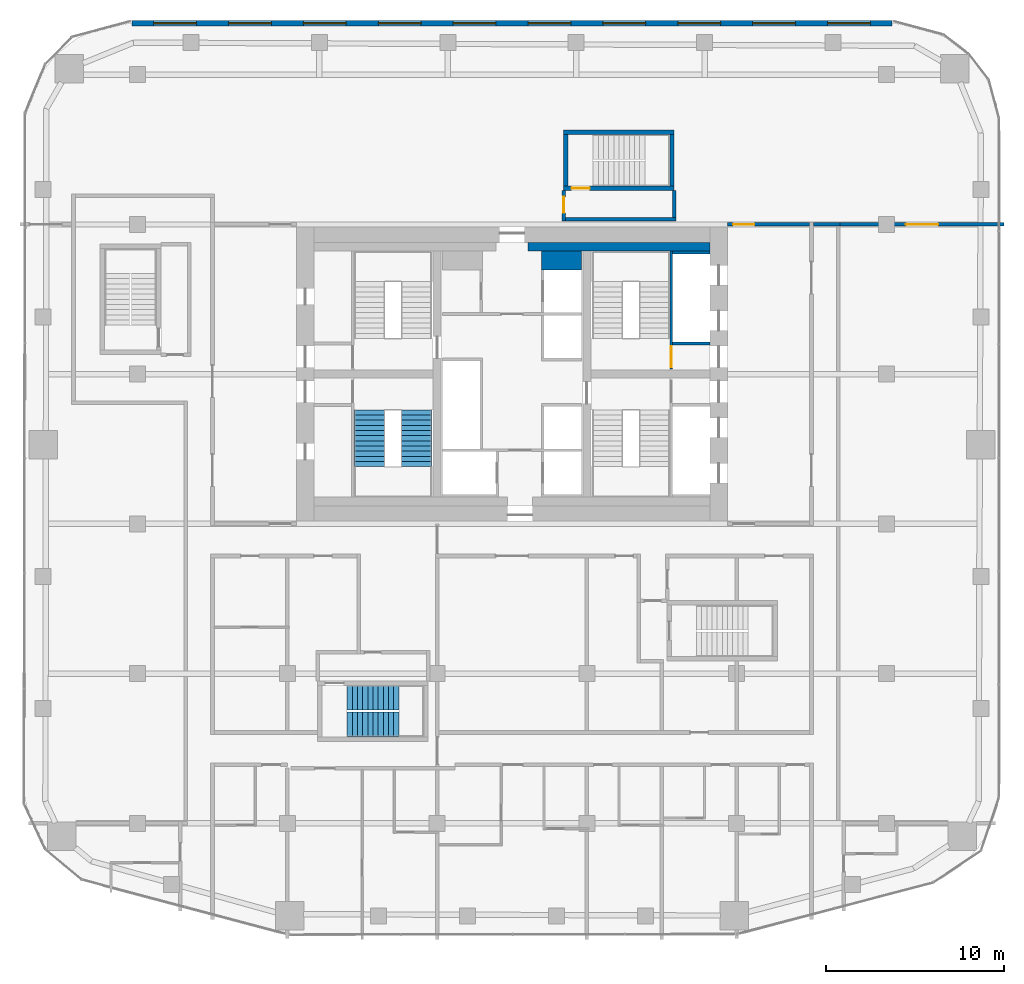
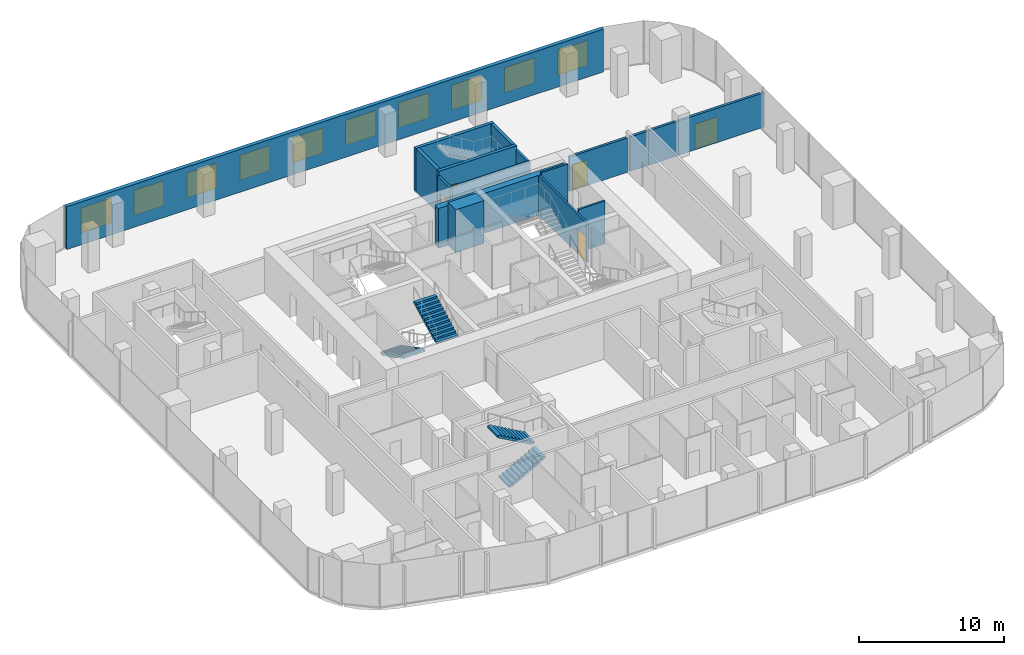
# One storey, part 18 of 21: 16 walls, 10 windows, 5 doors, 4 stair flights, 15 openings, 2 elements without a shape of their own.
"""IFC4 building model written with IfcOpenShell, lengths in metres."""

import ifcopenshell
import ifcopenshell.guid

model = None  # the IFC model being written
_history = None  # IfcOwnerHistory: only IFC2X3 demands one
_inside = {}  # id of a spatial element -> (the spatial element, [elements in it])
_under = {}  # id of a project, library or spatial element -> (it, [spatial elements below it])
_declared = {}  # id of a project -> (the project, [libraries it declares])
_typed = {}  # id of a type object -> (the type object, [elements of that type])
_made_of = {}  # id of a material, layer set ... -> (it, [elements and type objects made of it])


def new_model(schema):
    """Start an empty IFC model of exactly this schema.

    Asked for "IFC4X3", IfcOpenShell would pick the latest addendum, in which some entities
    have other attributes; the version numbers below select the first issue.
    IFC2X3 requires an IfcOwnerHistory on every rooted entity: one is made here for all.
    """
    global model, _history
    if schema == "IFC4X3":
        model = ifcopenshell.file(schema_version=(4, 3, 0, 0))
    else:
        model = ifcopenshell.file(schema=schema)
    _inside.clear()
    _under.clear()
    _declared.clear()
    _typed.clear()
    _made_of.clear()
    _history = None
    if model.schema == "IFC2X3":
        org = make("IfcOrganization", Name="unknown")
        user = make(
            "IfcPersonAndOrganization",
            ThePerson=make("IfcPerson", FamilyName="unknown"),
            TheOrganization=org,
        )
        app = make(
            "IfcApplication",
            ApplicationDeveloper=org,
            Version="unknown",
            ApplicationFullName="unknown",
            ApplicationIdentifier="unknown",
        )
        _history = make(
            "IfcOwnerHistory",
            OwningUser=user,
            OwningApplication=app,
            ChangeAction="ADDED",
            CreationDate=0,
        )
    return model


def make(cls, **values):
    """One entity of the class cls with the attributes given. An attribute that is None is left unset."""
    return model.create_entity(
        cls, **{name: value for name, value in values.items() if value is not None}
    )


def rooted(cls, **values):
    """An entity with a GlobalId (a new one), such as an element, a storey or a relation."""
    return make(cls, GlobalId=ifcopenshell.guid.new(), OwnerHistory=_history, **values)


def si_unit(unit_type, name, prefix=None):
    """IfcSIUnit, for example si_unit("LENGTHUNIT", "METRE", prefix="MILLI")."""
    return make("IfcSIUnit", UnitType=unit_type, Prefix=prefix, Name=name)


def assignment(units):
    """IfcUnitAssignment: the units of a project."""
    return None if units is None else make("IfcUnitAssignment", Units=units)


def point(xyz):
    """IfcCartesianPoint."""
    return None if xyz is None else make("IfcCartesianPoint", Coordinates=xyz)


def direction(xyz):
    """IfcDirection."""
    return None if xyz is None else make("IfcDirection", DirectionRatios=xyz)


def frame(location, z_axis=None, x_axis=None):
    """IfcAxis2Placement3D, a coordinate frame: its origin and axes. An axis left out is left unset."""
    return make(
        "IfcAxis2Placement3D",
        Location=point(location),
        Axis=direction(z_axis),
        RefDirection=direction(x_axis),
    )


def frame_2d(location, x_axis=None):
    """IfcAxis2Placement2D, a coordinate frame in the plane: its origin and x axis."""
    return make(
        "IfcAxis2Placement2D", Location=point(location), RefDirection=direction(x_axis)
    )


def origin():
    """The frame at (0, 0, 0) with its axes left unset."""
    return frame((0.0, 0.0, 0.0))


def place(relative_to, where):
    """IfcLocalPlacement: puts the frame where relative to a parent placement (None: the world)."""
    return make(
        "IfcLocalPlacement", PlacementRelTo=relative_to, RelativePlacement=where
    )


def context(
    kind, dimensions, precision=None, world=None, true_north=None, identifier=None
):
    """IfcGeometricRepresentationContext, for example the 3D "Model" context."""
    return make(
        "IfcGeometricRepresentationContext",
        ContextIdentifier=identifier,
        ContextType=kind,
        CoordinateSpaceDimension=dimensions,
        Precision=precision,
        WorldCoordinateSystem=world,
        TrueNorth=true_north,
    )


def subcontext(parent, identifier, kind, view, scale=None):
    """IfcGeometricRepresentationSubContext, for example "Body" below "Model"."""
    return make(
        "IfcGeometricRepresentationSubContext",
        ContextIdentifier=identifier,
        ContextType=kind,
        ParentContext=parent,
        TargetScale=scale,
        TargetView=view,
    )


def project(units=None, contexts=None):
    """IfcProject with its units and contexts."""
    return rooted(
        "IfcProject",
        Name="project",
        RepresentationContexts=contexts,
        UnitsInContext=assignment(units),
    )


def spatial(cls, under=None, at=None, **own):
    """A site, building, storey or space (cls), placed at a placement, below another one or the project."""
    s = rooted(cls, ObjectPlacement=at, **own)
    if under is not None:
        _under.setdefault(under.id(), (under, []))[1].append(s)
    return s


def polyline(points):
    """IfcPolyline through the points."""
    return make("IfcPolyline", Points=[point(p) for p in points])


def profile(cls, at=None, kind="AREA", **sizes):
    """A parametric profile (cls). Its sizes go by their IFC names, for example OverallWidth=200.0."""
    return make(cls, ProfileType=kind, Position=at, **sizes)


def rectangle(**sizes):
    """IfcRectangleProfileDef."""
    return profile("IfcRectangleProfileDef", **sizes)


def outline(outer, holes=None, kind="AREA"):
    """IfcArbitraryClosedProfileDef: a profile drawn as a closed curve; with holes, ...WithVoids."""
    if holes is None:
        return make("IfcArbitraryClosedProfileDef", ProfileType=kind, OuterCurve=outer)
    return make(
        "IfcArbitraryProfileDefWithVoids",
        ProfileType=kind,
        OuterCurve=outer,
        InnerCurves=holes,
    )


def extrude(swept, where, along, depth):
    """IfcExtrudedAreaSolid: the profile swept, set in the frame where, extruded along a direction by depth."""
    return make(
        "IfcExtrudedAreaSolid",
        SweptArea=swept,
        Position=where,
        ExtrudedDirection=direction(along),
        Depth=depth,
    )


def shape(context_of_items, identifier, shape_type, items):
    """IfcShapeRepresentation: the items that make up one representation, for example the "Body"."""
    return make(
        "IfcShapeRepresentation",
        ContextOfItems=context_of_items,
        RepresentationIdentifier=identifier,
        RepresentationType=shape_type,
        Items=items,
    )


def material(Name=None, Category=None):
    """IfcMaterial."""
    return make("IfcMaterial", Name=Name, Category=Category)


def layer(
    of_material, thickness, ventilated=None, Name=None, Category=None, Priority=None
):
    """IfcMaterialLayer: one layer of a wall or slab, of a material (None: an air gap)."""
    return make(
        "IfcMaterialLayer",
        Material=of_material,
        LayerThickness=thickness,
        IsVentilated=ventilated,
        Name=Name,
        Category=Category,
        Priority=Priority,
    )


def layer_set(layers, Name=None):
    """IfcMaterialLayerSet."""
    return make("IfcMaterialLayerSet", MaterialLayers=layers, LayerSetName=Name)


def made_of(thing, what):
    """Note that an element or type object is made of a material, layer set ...; save() writes the relation."""
    if what is not None:
        _made_of.setdefault(what.id(), (what, []))[1].append(thing)
    return thing


def type_object(cls, material=None, **own):
    """A type object (cls), such as IfcWallType, which elements share."""
    return made_of(rooted(cls, **own), material)


def element(
    cls,
    number,
    at=None,
    inside=None,
    cuts=None,
    type_object=None,
    material=None,
    context=None,
    identifier="Body",
    shape_type=None,
    held_by="IfcProductDefinitionShape",
    body=None,
    shapes=None,
    **own,
):
    """One element of the class cls, such as IfcWall. Its Tag is "e" and its number.

    at: its placement. inside: the storey or other place that contains it. cuts: it is an
    opening in that element (IfcRelVoidsElement). A single representation is given by context,
    identifier, shape_type and body (its items); several are given by shapes. held_by: the class
    of the entity that holds the representations. save() writes the other relations.
    """
    e = rooted(cls, Tag="e%d" % number, ObjectPlacement=at, **own)
    if body is not None:
        shapes = [shape(context, identifier, shape_type, body)]
    if shapes is not None:
        e.Representation = make(held_by, Representations=shapes)
    if inside is not None:
        _inside.setdefault(inside.id(), (inside, []))[1].append(e)
    if cuts is not None:
        rooted(
            "IfcRelVoidsElement", RelatingBuildingElement=cuts, RelatedOpeningElement=e
        )
    if type_object is not None:
        _typed.setdefault(type_object.id(), (type_object, []))[1].append(e)
    return made_of(e, material)


def fill(opening, filler):
    """IfcRelFillsElement: the door or window that sits in an opening."""
    return rooted(
        "IfcRelFillsElement",
        RelatingOpeningElement=opening,
        RelatedBuildingElement=filler,
    )


def aggregate(whole, parts):
    """IfcRelAggregates: a whole, such as a stair, and the parts it consists of."""
    return rooted("IfcRelAggregates", RelatingObject=whole, RelatedObjects=parts)


def save(model, path):
    """Write the relations noted so far, then the file.

    IfcRelAggregates (storeys below a building ...), IfcRelContainedInSpatialStructure (elements
    in a storey), IfcRelDefinesByType, IfcRelAssociatesMaterial and IfcRelDeclares: one each for
    every whole, place, type object, material and project.
    """
    for whole, parts in _under.values():
        aggregate(whole, parts)
    for where, things in _inside.values():
        rooted(
            "IfcRelContainedInSpatialStructure",
            RelatedElements=things,
            RelatingStructure=where,
        )
    for kind, things in _typed.values():
        rooted("IfcRelDefinesByType", RelatedObjects=things, RelatingType=kind)
    for what, things in _made_of.values():
        rooted("IfcRelAssociatesMaterial", RelatedObjects=things, RelatingMaterial=what)
    for by, libraries in _declared.values():
        rooted("IfcRelDeclares", RelatingContext=by, RelatedDefinitions=libraries)
    model.write(path)


model = new_model("IFC4")

# Units and contexts
model_context = context("Model", 3, precision=1e-05, world=origin(), true_north=direction((0.0, 1.0)))
body_context = subcontext(model_context, "Body", "Model", "MODEL_VIEW")
ifc_project = project(units=[si_unit("LENGTHUNIT", "METRE"), si_unit("AREAUNIT", "SQUARE_METRE"), si_unit("VOLUMEUNIT", "CUBIC_METRE"), si_unit("PLANEANGLEUNIT", "RADIAN"), si_unit("MASSUNIT", "GRAM", prefix="KILO")], contexts=[model_context])

# Site, building, storey
site_placement = place(None, origin())
site = spatial("IfcSite", under=ifc_project, at=site_placement, CompositionType="ELEMENT")
building_placement = place(site_placement, origin())
building = spatial("IfcBuilding", under=site, at=building_placement, Name="Marenta Gate Hotel Tower", CompositionType="ELEMENT")
storey_placement = place(building_placement, frame((0.0, 0.0, 133.699951171875)))
storey = spatial("IfcBuildingStorey", under=building, at=storey_placement, Name="L30", CompositionType="ELEMENT", Elevation=133.699951171875)

# Wall, openings, windows
ifc_material_1 = material(Name="Concrete C40 board-marked", Category="concrete")
ifc_layer_1 = layer(ifc_material_1, 0.300048828125)
ifc_layer_set_1 = layer_set([ifc_layer_1], Name="Concrete C40 board-marked")
wall_type_1 = type_object("IfcWallType", Name="Board-marked concrete wall 300 mm", PredefinedType="NOTDEFINED", material=ifc_layer_set_1)
wall_1_placement = place(storey_placement, frame((21.305908203125, 28.090087890625, 0.0), z_axis=(0.0, 0.0, 1.0), x_axis=(-1.0, 0.0, 0.0)))
wall_1 = element("IfcWall", 1, at=wall_1_placement, inside=storey, type_object=wall_type_1, Name="L30-CLD-N00", PredefinedType="NOTDEFINED", context=body_context, shape_type="SweptSolid", body=[
    extrude(rectangle(XDim=42.61181640625, YDim=0.300048828125, at=frame_2d((21.305908203125, 0.0))), origin(), (0.0, 0.0, 1.0), 3.60009765625),
])
opening_1_placement = place(wall_1_placement, frame((1.205810546875, 0.0, 0.89990234375)))
opening_1 = element("IfcOpeningElement", 2, at=opening_1_placement, cuts=wall_1, Name="Opening W1", PredefinedType="OPENING", context=body_context, shape_type="SweptSolid", body=[
    extrude(rectangle(XDim=2.39990234375, YDim=2.10009765625, at=frame_2d((1.199951171875, 1.050048828125))), frame((0.0, 0.14990234375, 0.0), z_axis=(0.0, -1.0, 0.0), x_axis=(1.0, 0.0, 0.0)), (0.0, 0.0, 1.0), 0.300048828125),
])
opening_2_placement = place(wall_1_placement, frame((5.406005859375, 0.0, 0.89990234375)))
opening_2 = element("IfcOpeningElement", 3, at=opening_2_placement, cuts=wall_1, Name="Opening W1", PredefinedType="OPENING", context=body_context, shape_type="SweptSolid", body=[
    extrude(rectangle(XDim=2.39990234375, YDim=2.10009765625, at=frame_2d((1.199951171875, 1.050048828125))), frame((0.0, 0.14990234375, 0.0), z_axis=(0.0, -1.0, 0.0), x_axis=(1.0, 0.0, 0.0)), (0.0, 0.0, 1.0), 0.300048828125),
])
opening_3_placement = place(wall_1_placement, frame((9.60595703125, 0.0, 0.89990234375)))
opening_3 = element("IfcOpeningElement", 4, at=opening_3_placement, cuts=wall_1, Name="Opening W1", PredefinedType="OPENING", context=body_context, shape_type="SweptSolid", body=[
    extrude(rectangle(XDim=2.39990234375, YDim=2.10009765625, at=frame_2d((1.199951171875, 1.050048828125))), frame((0.0, 0.14990234375, 0.0), z_axis=(0.0, -1.0, 0.0), x_axis=(1.0, 0.0, 0.0)), (0.0, 0.0, 1.0), 0.300048828125),
])
opening_4_placement = place(wall_1_placement, frame((13.805908203125, 0.0, 0.89990234375)))
opening_4 = element("IfcOpeningElement", 5, at=opening_4_placement, cuts=wall_1, Name="Opening W1", PredefinedType="OPENING", context=body_context, shape_type="SweptSolid", body=[
    extrude(rectangle(XDim=2.39990234375, YDim=2.10009765625, at=frame_2d((1.199951171875, 1.050048828125))), frame((0.0, 0.14990234375, 0.0), z_axis=(0.0, -1.0, 0.0), x_axis=(1.0, 0.0, 0.0)), (0.0, 0.0, 1.0), 0.300048828125),
])
opening_5_placement = place(wall_1_placement, frame((18.005859375, 0.0, 0.89990234375)))
opening_5 = element("IfcOpeningElement", 6, at=opening_5_placement, cuts=wall_1, Name="Opening W1", PredefinedType="OPENING", context=body_context, shape_type="SweptSolid", body=[
    extrude(rectangle(XDim=2.39990234375, YDim=2.10009765625, at=frame_2d((1.199951171875, 1.050048828125))), frame((0.0, 0.14990234375, 0.0), z_axis=(0.0, -1.0, 0.0), x_axis=(1.0, 0.0, 0.0)), (0.0, 0.0, 1.0), 0.300048828125),
])
opening_6_placement = place(wall_1_placement, frame((22.205810546875, 0.0, 0.89990234375)))
opening_6 = element("IfcOpeningElement", 7, at=opening_6_placement, cuts=wall_1, Name="Opening W1", PredefinedType="OPENING", context=body_context, shape_type="SweptSolid", body=[
    extrude(rectangle(XDim=2.39990234375, YDim=2.10009765625, at=frame_2d((1.199951171875, 1.050048828125))), frame((0.0, 0.14990234375, 0.0), z_axis=(0.0, -1.0, 0.0), x_axis=(1.0, 0.0, 0.0)), (0.0, 0.0, 1.0), 0.300048828125),
])
opening_7_placement = place(wall_1_placement, frame((26.406005859375, 0.0, 0.89990234375)))
opening_7 = element("IfcOpeningElement", 8, at=opening_7_placement, cuts=wall_1, Name="Opening W1", PredefinedType="OPENING", context=body_context, shape_type="SweptSolid", body=[
    extrude(rectangle(XDim=2.39990234375, YDim=2.10009765625, at=frame_2d((1.199951171875, 1.050048828125))), frame((0.0, 0.14990234375, 0.0), z_axis=(0.0, -1.0, 0.0), x_axis=(1.0, 0.0, 0.0)), (0.0, 0.0, 1.0), 0.300048828125),
])
opening_8_placement = place(wall_1_placement, frame((30.60595703125, 0.0, 0.89990234375)))
opening_8 = element("IfcOpeningElement", 9, at=opening_8_placement, cuts=wall_1, Name="Opening W1", PredefinedType="OPENING", context=body_context, shape_type="SweptSolid", body=[
    extrude(rectangle(XDim=2.39990234375, YDim=2.10009765625, at=frame_2d((1.199951171875, 1.050048828125))), frame((0.0, 0.14990234375, 0.0), z_axis=(0.0, -1.0, 0.0), x_axis=(1.0, 0.0, 0.0)), (0.0, 0.0, 1.0), 0.300048828125),
])
opening_9_placement = place(wall_1_placement, frame((34.805908203125, 0.0, 0.89990234375)))
opening_9 = element("IfcOpeningElement", 10, at=opening_9_placement, cuts=wall_1, Name="Opening W1", PredefinedType="OPENING", context=body_context, shape_type="SweptSolid", body=[
    extrude(rectangle(XDim=2.39990234375, YDim=2.10009765625, at=frame_2d((1.199951171875, 1.050048828125))), frame((0.0, 0.14990234375, 0.0), z_axis=(0.0, -1.0, 0.0), x_axis=(1.0, 0.0, 0.0)), (0.0, 0.0, 1.0), 0.300048828125),
])
opening_10_placement = place(wall_1_placement, frame((39.005859375, 0.0, 0.89990234375)))
opening_10 = element("IfcOpeningElement", 11, at=opening_10_placement, cuts=wall_1, Name="Opening W1", PredefinedType="OPENING", context=body_context, shape_type="SweptSolid", body=[
    extrude(rectangle(XDim=2.39990234375, YDim=2.10009765625, at=frame_2d((1.199951171875, 1.050048828125))), frame((0.0, 0.14990234375, 0.0), z_axis=(0.0, -1.0, 0.0), x_axis=(1.0, 0.0, 0.0)), (0.0, 0.0, 1.0), 0.300048828125),
])
ifc_material_2 = material(Name="Tinted insulated glass in bronze anodised frame", Category="glass")
window_type = type_object("IfcWindowType", Name="Window W1 2400x2100 bronze frame", PartitioningType="SINGLE_PANEL", PredefinedType="WINDOW", material=ifc_material_2)
window_1_placement = place(opening_1_placement, origin())
window_1 = element("IfcWindow", 12, at=window_1_placement, inside=storey, type_object=window_type, Name="Window W1", OverallHeight=2.10009765625, OverallWidth=2.39990234375, PartitioningType="SINGLE_PANEL", PredefinedType="WINDOW", context=body_context, shape_type="SweptSolid", body=[
    extrude(rectangle(XDim=2.39990234375, YDim=2.10009765625, at=frame_2d((1.199951171875, 1.050048828125))), frame((0.0, 0.030029296875, 0.0), z_axis=(0.0, -1.0, 0.0), x_axis=(1.0, 0.0, 0.0)), (0.0, 0.0, 1.0), 0.06005859375),
])
fill(opening_1, window_1)
window_2_placement = place(opening_2_placement, origin())
window_2 = element("IfcWindow", 13, at=window_2_placement, inside=storey, type_object=window_type, Name="Window W1", OverallHeight=2.10009765625, OverallWidth=2.39990234375, PartitioningType="SINGLE_PANEL", PredefinedType="WINDOW", context=body_context, shape_type="SweptSolid", body=[
    extrude(rectangle(XDim=2.39990234375, YDim=2.10009765625, at=frame_2d((1.199951171875, 1.050048828125))), frame((0.0, 0.030029296875, 0.0), z_axis=(0.0, -1.0, 0.0), x_axis=(1.0, 0.0, 0.0)), (0.0, 0.0, 1.0), 0.06005859375),
])
fill(opening_2, window_2)
window_3_placement = place(opening_3_placement, origin())
window_3 = element("IfcWindow", 14, at=window_3_placement, inside=storey, type_object=window_type, Name="Window W1", OverallHeight=2.10009765625, OverallWidth=2.39990234375, PartitioningType="SINGLE_PANEL", PredefinedType="WINDOW", context=body_context, shape_type="SweptSolid", body=[
    extrude(rectangle(XDim=2.39990234375, YDim=2.10009765625, at=frame_2d((1.199951171875, 1.050048828125))), frame((0.0, 0.030029296875, 0.0), z_axis=(0.0, -1.0, 0.0), x_axis=(1.0, 0.0, 0.0)), (0.0, 0.0, 1.0), 0.06005859375),
])
fill(opening_3, window_3)
window_4_placement = place(opening_4_placement, origin())
window_4 = element("IfcWindow", 15, at=window_4_placement, inside=storey, type_object=window_type, Name="Window W1", OverallHeight=2.10009765625, OverallWidth=2.39990234375, PartitioningType="SINGLE_PANEL", PredefinedType="WINDOW", context=body_context, shape_type="SweptSolid", body=[
    extrude(rectangle(XDim=2.39990234375, YDim=2.10009765625, at=frame_2d((1.199951171875, 1.050048828125))), frame((0.0, 0.030029296875, 0.0), z_axis=(0.0, -1.0, 0.0), x_axis=(1.0, 0.0, 0.0)), (0.0, 0.0, 1.0), 0.06005859375),
])
fill(opening_4, window_4)
window_5_placement = place(opening_5_placement, origin())
window_5 = element("IfcWindow", 16, at=window_5_placement, inside=storey, type_object=window_type, Name="Window W1", OverallHeight=2.10009765625, OverallWidth=2.39990234375, PartitioningType="SINGLE_PANEL", PredefinedType="WINDOW", context=body_context, shape_type="SweptSolid", body=[
    extrude(rectangle(XDim=2.39990234375, YDim=2.10009765625, at=frame_2d((1.199951171875, 1.050048828125))), frame((0.0, 0.030029296875, 0.0), z_axis=(0.0, -1.0, 0.0), x_axis=(1.0, 0.0, 0.0)), (0.0, 0.0, 1.0), 0.06005859375),
])
fill(opening_5, window_5)
window_6_placement = place(opening_6_placement, origin())
window_6 = element("IfcWindow", 17, at=window_6_placement, inside=storey, type_object=window_type, Name="Window W1", OverallHeight=2.10009765625, OverallWidth=2.39990234375, PartitioningType="SINGLE_PANEL", PredefinedType="WINDOW", context=body_context, shape_type="SweptSolid", body=[
    extrude(rectangle(XDim=2.39990234375, YDim=2.10009765625, at=frame_2d((1.199951171875, 1.050048828125))), frame((0.0, 0.030029296875, 0.0), z_axis=(0.0, -1.0, 0.0), x_axis=(1.0, 0.0, 0.0)), (0.0, 0.0, 1.0), 0.06005859375),
])
fill(opening_6, window_6)
window_7_placement = place(opening_7_placement, origin())
window_7 = element("IfcWindow", 18, at=window_7_placement, inside=storey, type_object=window_type, Name="Window W1", OverallHeight=2.10009765625, OverallWidth=2.39990234375, PartitioningType="SINGLE_PANEL", PredefinedType="WINDOW", context=body_context, shape_type="SweptSolid", body=[
    extrude(rectangle(XDim=2.39990234375, YDim=2.10009765625, at=frame_2d((1.199951171875, 1.050048828125))), frame((0.0, 0.030029296875, 0.0), z_axis=(0.0, -1.0, 0.0), x_axis=(1.0, 0.0, 0.0)), (0.0, 0.0, 1.0), 0.06005859375),
])
fill(opening_7, window_7)
window_8_placement = place(opening_8_placement, origin())
window_8 = element("IfcWindow", 19, at=window_8_placement, inside=storey, type_object=window_type, Name="Window W1", OverallHeight=2.10009765625, OverallWidth=2.39990234375, PartitioningType="SINGLE_PANEL", PredefinedType="WINDOW", context=body_context, shape_type="SweptSolid", body=[
    extrude(rectangle(XDim=2.39990234375, YDim=2.10009765625, at=frame_2d((1.199951171875, 1.050048828125))), frame((0.0, 0.030029296875, 0.0), z_axis=(0.0, -1.0, 0.0), x_axis=(1.0, 0.0, 0.0)), (0.0, 0.0, 1.0), 0.06005859375),
])
fill(opening_8, window_8)
window_9_placement = place(opening_9_placement, origin())
window_9 = element("IfcWindow", 20, at=window_9_placement, inside=storey, type_object=window_type, Name="Window W1", OverallHeight=2.10009765625, OverallWidth=2.39990234375, PartitioningType="SINGLE_PANEL", PredefinedType="WINDOW", context=body_context, shape_type="SweptSolid", body=[
    extrude(rectangle(XDim=2.39990234375, YDim=2.10009765625, at=frame_2d((1.199951171875, 1.050048828125))), frame((0.0, 0.030029296875, 0.0), z_axis=(0.0, -1.0, 0.0), x_axis=(1.0, 0.0, 0.0)), (0.0, 0.0, 1.0), 0.06005859375),
])
fill(opening_9, window_9)
window_10_placement = place(opening_10_placement, origin())
window_10 = element("IfcWindow", 21, at=window_10_placement, inside=storey, type_object=window_type, Name="Window W1", OverallHeight=2.10009765625, OverallWidth=2.39990234375, PartitioningType="SINGLE_PANEL", PredefinedType="WINDOW", context=body_context, shape_type="SweptSolid", body=[
    extrude(rectangle(XDim=2.39990234375, YDim=2.10009765625, at=frame_2d((1.199951171875, 1.050048828125))), frame((0.0, 0.030029296875, 0.0), z_axis=(0.0, -1.0, 0.0), x_axis=(1.0, 0.0, 0.0)), (0.0, 0.0, 1.0), 0.06005859375),
])
fill(opening_10, window_10)

# Wall, opening, door
ifc_material_3 = material(Name="Concrete blockwork", Category="masonry")
ifc_layer_2 = layer(ifc_material_3, 0.199951171875)
ifc_layer_set_2 = layer_set([ifc_layer_2], Name="Concrete blockwork")
wall_type_2 = type_object("IfcWallType", Name="Core boundary wall 200 REI 180", PredefinedType="PARTITIONING", material=ifc_layer_set_2)
wall_2_placement = place(storey_placement, frame((12.10009765625, 16.800048828125, 0.0), z_axis=(0.0, 0.0, 1.0), x_axis=(1.0, 0.0, 0.0)))
wall_2 = element("IfcWall", 22, at=wall_2_placement, inside=storey, type_object=wall_type_2, Name="L30-CP-EW-EN", PredefinedType="PARTITIONING", context=body_context, shape_type="SweptSolid", body=[
    extrude(rectangle(XDim=4.599853515625, YDim=0.199951171875, at=frame_2d((2.2998046875, 0.0))), origin(), (0.0, 0.0, 1.0), 2.89013671875),
])
opening_11_placement = place(wall_2_placement, frame((0.300048828125, 0.0, 0.0)))
opening_11 = element("IfcOpeningElement", 23, at=opening_11_placement, cuts=wall_2, Name="Opening RFD-EN", PredefinedType="OPENING", context=body_context, shape_type="SweptSolid", body=[
    extrude(rectangle(XDim=1.199951171875, YDim=2.10009765625, at=frame_2d((0.60009765625, 1.050048828125))), frame((0.0, 0.10009765625, 0.0), z_axis=(0.0, -1.0, 0.0), x_axis=(1.0, 0.0, 0.0)), (0.0, 0.0, 1.0), 0.199951171875),
])
ifc_material_4 = material(Name="Steel", Category="steel")
door_type_1 = type_object("IfcDoorType", Name="Core lobby door 1200x2100 FD60", OperationType="SINGLE_SWING_LEFT", PredefinedType="DOOR", material=ifc_material_4)
door_1_placement = place(opening_11_placement, origin())
door_1 = element("IfcDoor", 24, at=door_1_placement, inside=storey, type_object=door_type_1, Name="RFD-EN", OperationType="SINGLE_SWING_LEFT", OverallHeight=2.10009765625, OverallWidth=1.199951171875, PredefinedType="DOOR", context=body_context, shape_type="SweptSolid", body=[
    extrude(rectangle(XDim=1.199951171875, YDim=2.10009765625, at=frame_2d((0.60009765625, 1.050048828125))), frame((0.0, 0.02490234375, 0.0), z_axis=(0.0, -1.0, 0.0), x_axis=(1.0, 0.0, 0.0)), (0.0, 0.0, 1.0), 0.050048828125),
])
fill(opening_11, door_1)

# Walls
ifc_material_5 = material(Name="Concrete C40", Category="concrete")
ifc_layer_3 = layer(ifc_material_5, 0.5)
ifc_layer_set_3 = layer_set([ifc_layer_3], Name="Concrete C40")
wall_type_3 = type_object("IfcWallType", Name="Core lining wall 500 REI 180", PredefinedType="PARTITIONING", material=ifc_layer_set_3)
wall_3_placement = place(storey_placement, frame((0.89990234375, 15.550048828125, 0.0), z_axis=(0.0, 0.0, 1.0), x_axis=(1.0, 0.0, 0.0)))
element("IfcWall", 25, at=wall_3_placement, inside=storey, type_object=wall_type_3, Name="L30-CP-LN-N2", PredefinedType="PARTITIONING", context=body_context, shape_type="SweptSolid", body=[
    extrude(rectangle(XDim=10.2001953125, YDim=0.5, at=frame_2d((5.10009765625, 0.0))), origin(), (0.0, 0.0, 1.0), 3.340087890625),
])
ifc_material_6 = material(Name="Concrete C40", Category="concrete")
ifc_layer_4 = layer(ifc_material_6, 1.050048828125)
ifc_layer_set_4 = layer_set([ifc_layer_4], Name="Concrete C40")
wall_type_4 = type_object("IfcWallType", Name="Core shaft wall 1050 REI 180", PredefinedType="SHEAR", material=ifc_layer_set_4)
wall_4_placement = place(storey_placement, frame((1.64990234375, 14.77490234375, 0.0), z_axis=(0.0, 0.0, 1.0), x_axis=(1.0, 0.0, 0.0)))
element("IfcWall", 26, at=wall_4_placement, inside=storey, type_object=wall_type_4, Name="L30-SHF-CE-N-top", PredefinedType="SHEAR", context=body_context, shape_type="SweptSolid", body=[
    extrude(rectangle(XDim=2.25, YDim=1.050048828125, at=frame_2d((1.125, 0.0))), origin(), (0.0, 0.0, 1.0), 3.60009765625),
])
ifc_material_7 = material(Name="Concrete C40", Category="concrete")
ifc_layer_5 = layer(ifc_material_7, 0.14990234375)
ifc_layer_set_5 = layer_set([ifc_layer_5], Name="Concrete C40")
wall_type_5 = type_object("IfcWallType", Name="Core shaft wall 150 REI 180", PredefinedType="SHEAR", material=ifc_layer_set_5)
for number, where, z_axis, x_axis, name in (
    (27, (9.0, 10.125, 0.0), (0.0, 0.0, 1.0), (1.0, 0.0, 0.0), "L30-SHF-SW-EN-2"),
    (28, (9.0, 15.22509765625, 0.0), (0.0, 0.0, 1.0), (1.0, 0.0, 0.0), "L30-SHF-SW-EN-5"),
):
    element("IfcWall", number, at=place(storey_placement, frame(where, z_axis=z_axis, x_axis=x_axis)), inside=storey, type_object=wall_type_5, Name=name, PredefinedType="SHEAR", context=body_context, shape_type="SweptSolid", body=[
        extrude(rectangle(XDim=2.10009765625, YDim=0.14990234375, at=frame_2d((1.050048828125, 0.0))), origin(), (0.0, 0.0, 1.0), 3.60009765625),
    ])

# Wall, opening, door
ifc_material_8 = material(Name="Concrete C40", Category="concrete")
ifc_layer_6 = layer(ifc_material_8, 0.14990234375)
ifc_layer_set_6 = layer_set([ifc_layer_6], Name="Concrete C40")
wall_type_6 = type_object("IfcWallType", Name="Core stair enclosure wall 150 REI 180", PredefinedType="SHEAR", material=ifc_layer_set_6)
wall_5_placement = place(storey_placement, frame((8.925048828125, 8.699951171875, 0.0), z_axis=(0.0, 0.0, 1.0), x_axis=(0.0, 1.0, 0.0)))
wall_5 = element("IfcWall", 29, at=wall_5_placement, inside=storey, type_object=wall_type_6, Name="L30-SHF-SW-EN-3", PredefinedType="SHEAR", context=body_context, shape_type="SweptSolid", body=[
    extrude(rectangle(XDim=6.60009765625, YDim=0.14990234375, at=frame_2d((3.300048828125, 0.0))), origin(), (0.0, 0.0, 1.0), 3.340087890625),
])
opening_12_placement = place(wall_5_placement, frame((0.074951171875, 0.0, 0.0)))
opening_12 = element("IfcOpeningElement", 30, at=opening_12_placement, cuts=wall_5, Name="Opening SD-EN", PredefinedType="OPENING", context=body_context, shape_type="SweptSolid", body=[
    extrude(rectangle(XDim=1.199951171875, YDim=2.10009765625, at=frame_2d((0.60009765625, 1.050048828125))), frame((0.0, 0.074951171875, 0.0), z_axis=(0.0, -1.0, 0.0), x_axis=(1.0, 0.0, 0.0)), (0.0, 0.0, 1.0), 0.14990234375),
])
ifc_material_9 = material(Name="Steel", Category="steel")
door_type_2 = type_object("IfcDoorType", Name="Core stair door 1200x2100 FD60", OperationType="SINGLE_SWING_LEFT", PredefinedType="DOOR", material=ifc_material_9)
door_2_placement = place(opening_12_placement, origin())
door_2 = element("IfcDoor", 31, at=door_2_placement, inside=storey, type_object=door_type_2, Name="SD-EN", OperationType="SINGLE_SWING_LEFT", OverallHeight=2.10009765625, OverallWidth=1.199951171875, PredefinedType="DOOR", context=body_context, shape_type="SweptSolid", body=[
    extrude(rectangle(XDim=1.199951171875, YDim=2.10009765625, at=frame_2d((0.60009765625, 1.050048828125))), frame((0.0, 0.02490234375, 0.0), z_axis=(0.0, -1.0, 0.0), x_axis=(1.0, 0.0, 0.0)), (0.0, 0.0, 1.0), 0.050048828125),
])
fill(opening_12, door_2)

ifc_material_10 = material(Name="Concrete C40", Category="concrete")
ifc_layer_7 = layer(ifc_material_10, 0.25)
ifc_layer_set_7 = layer_set([ifc_layer_7], Name="Concrete C40")
wall_type_7 = type_object("IfcWallType", Name="Remote stair enclosure wall 250 REI 180", PredefinedType="SHEAR", material=ifc_layer_set_7)
wall_6_placement = place(storey_placement, frame((2.89990234375, 18.824951171875, 0.10009765625), z_axis=(0.0, 0.0, 1.0), x_axis=(1.0, 0.0, 0.0)))
wall_6 = element("IfcWall", 32, at=wall_6_placement, inside=storey, type_object=wall_type_7, Name="L30-RS-Z2-4-W1", PredefinedType="SHEAR", context=body_context, shape_type="SweptSolid", body=[
    extrude(rectangle(XDim=6.2001953125, YDim=0.25, at=frame_2d((3.10009765625, 0.0))), origin(), (0.0, 0.0, 1.0), 3.599853515625),
])
opening_13_placement = place(wall_6_placement, frame((0.449951171875, 0.0, 0.0)))
opening_13 = element("IfcOpeningElement", 33, at=opening_13_placement, cuts=wall_6, Name="Opening VD", PredefinedType="OPENING", context=body_context, shape_type="SweptSolid", body=[
    extrude(rectangle(XDim=1.0, YDim=2.10009765625, at=frame_2d((0.5, 1.050048828125))), frame((0.0, 0.125, 0.0), z_axis=(0.0, -1.0, 0.0), x_axis=(1.0, 0.0, 0.0)), (0.0, 0.0, 1.0), 0.25),
])
ifc_material_11 = material(Name="Steel", Category="steel")
door_type_3 = type_object("IfcDoorType", Name="Stair vestibule door 1000x2100 FD60", OperationType="SINGLE_SWING_LEFT", PredefinedType="DOOR", material=ifc_material_11)
door_3_placement = place(opening_13_placement, origin())
door_3 = element("IfcDoor", 34, at=door_3_placement, inside=storey, type_object=door_type_3, Name="VD", OperationType="SINGLE_SWING_LEFT", OverallHeight=2.10009765625, OverallWidth=1.0, PredefinedType="DOOR", context=body_context, shape_type="SweptSolid", body=[
    extrude(rectangle(XDim=1.0, YDim=2.10009765625, at=frame_2d((0.5, 1.050048828125))), frame((0.0, 0.02490234375, 0.0), z_axis=(0.0, -1.0, 0.0), x_axis=(1.0, 0.0, 0.0)), (0.0, 0.0, 1.0), 0.050048828125),
])
fill(opening_13, door_3)

# Walls
wall_7_placement = place(storey_placement, frame((2.89990234375, 21.97509765625, 0.10009765625), z_axis=(0.0, 0.0, 1.0), x_axis=(1.0, 0.0, 0.0)))
element("IfcWall", 35, at=wall_7_placement, inside=storey, type_object=wall_type_7, Name="L30-RS-Z2-4-W2", PredefinedType="SHEAR", context=body_context, shape_type="SweptSolid", body=[
    extrude(rectangle(XDim=6.2001953125, YDim=0.25, at=frame_2d((3.10009765625, 0.0))), origin(), (0.0, 0.0, 1.0), 3.599853515625),
])
for number, where, z_axis, x_axis, name in (
    (36, (3.02490234375, 18.949951171875, 0.10009765625), (0.0, 0.0, 1.0), (0.0, 1.0, 0.0), "L30-RS-Z2-4-W3"),
    (37, (8.97509765625, 18.949951171875, 0.10009765625), (0.0, 0.0, 1.0), (0.0, 1.0, 0.0), "L30-RS-Z2-4-W4"),
):
    element("IfcWall", number, at=place(storey_placement, frame(where, z_axis=z_axis, x_axis=x_axis)), inside=storey, type_object=wall_type_7, Name=name, PredefinedType="SHEAR", context=body_context, shape_type="SweptSolid", body=[
        extrude(rectangle(XDim=2.900146484375, YDim=0.25, at=frame_2d((1.4501953125, 0.0))), origin(), (0.0, 0.0, 1.0), 3.599853515625),
    ])
ifc_material_12 = material(Name="Concrete blockwork", Category="masonry")
ifc_layer_8 = layer(ifc_material_12, 0.199951171875)
ifc_layer_set_8 = layer_set([ifc_layer_8], Name="Concrete blockwork")
wall_type_8 = type_object("IfcWallType", Name="Room corridor wall 200 REI 180", PredefinedType="PARTITIONING", material=ifc_layer_set_8)
wall_8_placement = place(storey_placement, frame((16.89990234375, 16.800048828125, 0.0), z_axis=(0.0, 0.0, 1.0), x_axis=(1.0, 0.0, 0.0)))
element("IfcWall", 38, at=wall_8_placement, inside=storey, type_object=wall_type_8, Name="L30-PTN-W066", PredefinedType="PARTITIONING", context=body_context, shape_type="SweptSolid", body=[
    extrude(rectangle(XDim=1.5, YDim=0.199951171875, at=frame_2d((0.75, 0.0))), origin(), (0.0, 0.0, 1.0), 2.89013671875),
])
ifc_material_13 = material(Name="Concrete blockwork", Category="masonry")
ifc_layer_9 = layer(ifc_material_13, 0.199951171875)
ifc_layer_set_9 = layer_set([ifc_layer_9], Name="Concrete blockwork")
wall_type_9 = type_object("IfcWallType", Name="Room party wall 200 REI 180", PredefinedType="PARTITIONING", material=ifc_layer_set_9)
wall_9_placement = place(storey_placement, frame((9.10009765625, 17.199951171875, 0.0), z_axis=(0.0, 0.0, 1.0), x_axis=(0.0, 1.0, 0.0)))
element("IfcWall", 39, at=wall_9_placement, inside=storey, type_object=wall_type_9, Name="L30-PTN-W028", PredefinedType="PARTITIONING", context=body_context, shape_type="SweptSolid", body=[
    extrude(rectangle(XDim=1.5, YDim=0.199951171875, at=frame_2d((0.75, 0.0))), origin(), (0.0, 0.0, 1.0), 3.340087890625),
])

# Wall, opening, door
wall_10_placement = place(storey_placement, frame((2.89990234375, 17.0, 0.0), z_axis=(0.0, 0.0, 1.0), x_axis=(0.0, 1.0, 0.0)))
wall_10 = element("IfcWall", 40, at=wall_10_placement, inside=storey, type_object=wall_type_9, Name="L30-PTN-W042", PredefinedType="PARTITIONING", context=body_context, shape_type="SweptSolid", body=[
    extrude(rectangle(XDim=1.699951171875, YDim=0.199951171875, at=frame_2d((0.85009765625, 0.0))), origin(), (0.0, 0.0, 1.0), 3.340087890625),
])
opening_14_placement = place(wall_10_placement, frame((0.449951171875, 0.0, 0.0)))
opening_14 = element("IfcOpeningElement", 41, at=opening_14_placement, cuts=wall_10, Name="Opening G11-30", PredefinedType="OPENING", context=body_context, shape_type="SweptSolid", body=[
    extrude(rectangle(XDim=0.89990234375, YDim=2.10009765625, at=frame_2d((0.449951171875, 1.050048828125))), frame((0.0, 0.10009765625, 0.0), z_axis=(0.0, -1.0, 0.0), x_axis=(1.0, 0.0, 0.0)), (0.0, 0.0, 1.0), 0.199951171875),
])
ifc_material_14 = material(Name="Hollow steel door set", Category="steel")
door_type_4 = type_object("IfcDoorType", Name="Stair vestibule door 900x2100 EI 60", OperationType="NOTDEFINED", PredefinedType="DOOR", material=ifc_material_14)
door_4_placement = place(opening_14_placement, origin())
door_4 = element("IfcDoor", 42, at=door_4_placement, inside=storey, type_object=door_type_4, Name="L30-PD-D030", OperationType="SINGLE_SWING_RIGHT", OverallHeight=2.10009765625, OverallWidth=0.89990234375, PredefinedType="DOOR", context=body_context, shape_type="SweptSolid", body=[
    extrude(rectangle(XDim=0.89990234375, YDim=2.10009765625, at=frame_2d((0.449951171875, 1.050048828125))), frame((0.0, 0.02490234375, 0.0), z_axis=(0.0, -1.0, 0.0), x_axis=(1.0, 0.0, 0.0)), (0.0, 0.0, 1.0), 0.050048828125),
])
fill(opening_14, door_4)

wall_11_placement = place(storey_placement, frame((18.39990234375, 16.800048828125, 0.0), z_axis=(0.0, 0.0, 1.0), x_axis=(1.0, 0.0, 0.0)))
wall_11 = element("IfcWall", 43, at=wall_11_placement, inside=storey, type_object=wall_type_9, Name="L30-PTN-W065", PredefinedType="PARTITIONING", context=body_context, shape_type="SweptSolid", body=[
    extrude(rectangle(XDim=9.2001953125, YDim=0.199951171875, at=frame_2d((4.60009765625, 0.0))), origin(), (0.0, 0.0, 1.0), 2.89013671875),
])
opening_15_placement = place(wall_11_placement, frame((3.699951171875, 0.0, 0.0)))
opening_15 = element("IfcOpeningElement", 44, at=opening_15_placement, cuts=wall_11, Name="Opening G11-26", PredefinedType="OPENING", context=body_context, shape_type="SweptSolid", body=[
    extrude(rectangle(XDim=1.800048828125, YDim=2.10009765625, at=frame_2d((0.89990234375, 1.050048828125))), frame((0.0, 0.10009765625, 0.0), z_axis=(0.0, -1.0, 0.0), x_axis=(1.0, 0.0, 0.0)), (0.0, 0.0, 1.0), 0.199951171875),
])
ifc_material_15 = material(Name="Timber door leaf", Category="wood")
door_type_5 = type_object("IfcDoorType", Name="Room amenity door 1800x2100 EI 60", OperationType="DOUBLE_DOOR_SINGLE_SWING", PredefinedType="DOOR", material=ifc_material_15)
door_5_placement = place(opening_15_placement, origin())
door_5 = element("IfcDoor", 45, at=door_5_placement, inside=storey, type_object=door_type_5, Name="L30-PD-D026", OperationType="DOUBLE_DOOR_SINGLE_SWING", OverallHeight=2.10009765625, OverallWidth=1.800048828125, PredefinedType="DOOR", context=body_context, shape_type="SweptSolid", body=[
    extrude(rectangle(XDim=1.800048828125, YDim=2.10009765625, at=frame_2d((0.89990234375, 1.050048828125))), frame((0.0, 0.02490234375, 0.0), z_axis=(0.0, -1.0, 0.0), x_axis=(1.0, 0.0, 0.0)), (0.0, 0.0, 1.0), 0.050048828125),
])
fill(opening_15, door_5)

# Wall
wall_12_placement = place(storey_placement, frame((3.0, 17.10009765625, 0.0), z_axis=(0.0, 0.0, 1.0), x_axis=(1.0, 0.0, 0.0)))
element("IfcWall", 46, at=wall_12_placement, inside=storey, type_object=wall_type_9, Name="L30-PTN-W067", PredefinedType="PARTITIONING", context=body_context, shape_type="SweptSolid", body=[
    extrude(rectangle(XDim=6.199951171875, YDim=0.199951171875, at=frame_2d((3.10009765625, 0.0))), origin(), (0.0, 0.0, 1.0), 3.340087890625),
])

# Stair, stair flights
ifc_material_16 = material(Name="Concrete C40", Category="concrete")
stair_type_1 = type_object("IfcStairType", Name="Core exit stair 1700 wide", PredefinedType="HALF_TURN_STAIR", material=ifc_material_16)
stair_1_placement = place(storey_placement, origin())
stair_1 = element("IfcStair", 47, at=stair_1_placement, inside=storey, type_object=stair_type_1, Name="Exit stair 1", PredefinedType="HALF_TURN_STAIR")
ifc_material_17 = material(Name="Concrete C40", Category="concrete")
stair_flight_type_1 = type_object("IfcStairFlightType", Name="Core stair flight 1700 riser 150.0 going 290", PredefinedType="STRAIGHT", material=ifc_material_17)
stair_flight_1_placement = place(storey_placement, frame((-8.0, 6.39990234375, 0.0), z_axis=(0.0, 0.0, 1.0), x_axis=(0.0, -1.0, 0.0)))
stair_flight_1 = element("IfcStairFlight", 48, at=stair_flight_1_placement, type_object=stair_flight_type_1, Name="ST1 flight 1", NumberOfRisers=12, NumberOfTreads=11, PredefinedType="STRAIGHT", RiserHeight=0.15, TreadLength=0.29, context=body_context, shape_type="SweptSolid", body=[
    extrude(outline(polyline([(0.0, 0.0), (0.0, 0.14990234375), (0.2900390625, 0.14990234375), (0.2900390625, 0.300048828125), (0.580078125, 0.300048828125), (0.580078125, 0.449951171875), (0.8701171875, 0.449951171875), (0.8701171875, 0.60009765625), (1.159912109375, 0.60009765625), (1.159912109375, 0.75), (1.449951171875, 0.75), (1.449951171875, 0.89990234375), (1.739990234375, 0.89990234375), (1.739990234375, 1.050048828125), (2.030029296875, 1.050048828125), (2.030029296875, 1.199951171875), (2.320068359375, 1.199951171875), (2.320068359375, 1.35009765625), (2.610107421875, 1.35009765625), (2.610107421875, 1.5), (2.89990234375, 1.5), (2.89990234375, 1.64990234375), (3.18994140625, 1.64990234375), (3.18994140625, 1.800048828125), (3.18994140625, 1.481201171875), (0.326171875, 0.0), (0.0, 0.0)])), frame((0.0, 0.85009765625, 0.0), z_axis=(0.0, -1.0, 0.0), x_axis=(1.0, 0.0, 0.0)), (0.0, 0.0, 1.0), 1.699951171875),
])
stair_flight_2_placement = place(storey_placement, frame((-5.35009765625, 3.2099609375, 1.800048828125), z_axis=(0.0, 0.0, 1.0), x_axis=(0.0, 1.0, 0.0)))
stair_flight_2 = element("IfcStairFlight", 49, at=stair_flight_2_placement, type_object=stair_flight_type_1, Name="ST1 flight 2", NumberOfRisers=12, NumberOfTreads=11, PredefinedType="STRAIGHT", RiserHeight=0.15, TreadLength=0.29, context=body_context, shape_type="SweptSolid", body=[
    extrude(outline(polyline([(0.0, 0.0), (0.0, 0.14990234375), (0.2900390625, 0.14990234375), (0.2900390625, 0.300048828125), (0.580078125, 0.300048828125), (0.580078125, 0.449951171875), (0.8701171875, 0.449951171875), (0.8701171875, 0.60009765625), (1.159912109375, 0.60009765625), (1.159912109375, 0.75), (1.449951171875, 0.75), (1.449951171875, 0.89990234375), (1.739990234375, 0.89990234375), (1.739990234375, 1.050048828125), (2.030029296875, 1.050048828125), (2.030029296875, 1.199951171875), (2.320068359375, 1.199951171875), (2.320068359375, 1.35009765625), (2.610107421875, 1.35009765625), (2.610107421875, 1.5), (2.89990234375, 1.5), (2.89990234375, 1.64990234375), (3.18994140625, 1.64990234375), (3.18994140625, 1.800048828125), (3.18994140625, 1.481201171875), (0.326171875, 0.0), (0.0, 0.0)])), frame((0.0, 0.85009765625, 0.0), z_axis=(0.0, -1.0, 0.0), x_axis=(1.0, 0.0, 0.0)), (0.0, 0.0, 1.0), 1.699951171875),
])
aggregate(stair_1, [stair_flight_1, stair_flight_2])

ifc_material_18 = material(Name="Concrete C40", Category="concrete")
stair_type_2 = type_object("IfcStairType", Name="Remote exit stair 1400 wide", PredefinedType="HALF_TURN_STAIR", material=ifc_material_18)
stair_2_placement = place(storey_placement, origin())
stair_2 = element("IfcStair", 50, at=stair_2_placement, inside=storey, type_object=stair_type_2, Name="Exit stair RS-Z2-1", PredefinedType="HALF_TURN_STAIR")
ifc_material_19 = material(Name="Concrete C40", Category="concrete")
stair_flight_type_2 = type_object("IfcStairFlightType", Name="Remote stair flight 1400 riser 163.6 going 290", PredefinedType="STRAIGHT", material=ifc_material_19)
stair_flight_3_placement = place(storey_placement, frame((-9.25, -11.25, 0.0), z_axis=(0.0, 0.0, 1.0), x_axis=(1.0, 0.0, 0.0)))
stair_flight_3 = element("IfcStairFlight", 51, at=stair_flight_3_placement, type_object=stair_flight_type_2, Name="RS-Z2-1 flight 1", NumberOfRisers=11, NumberOfTreads=10, PredefinedType="STRAIGHT", RiserHeight=0.163636, TreadLength=0.29, context=body_context, shape_type="SweptSolid", body=[
    extrude(outline(polyline([(0.0, 0.0), (0.0, 0.16357421875), (0.2900390625, 0.16357421875), (0.2900390625, 0.327392578125), (0.580078125, 0.327392578125), (0.580078125, 0.490966796875), (0.8701171875, 0.490966796875), (0.8701171875, 0.654541015625), (1.159912109375, 0.654541015625), (1.159912109375, 0.818115234375), (1.449951171875, 0.818115234375), (1.449951171875, 0.98193359375), (1.739990234375, 0.98193359375), (1.739990234375, 1.1455078125), (2.030029296875, 1.1455078125), (2.030029296875, 1.30908203125), (2.320068359375, 1.30908203125), (2.320068359375, 1.47265625), (2.610107421875, 1.47265625), (2.610107421875, 1.636474609375), (2.89990234375, 1.636474609375), (2.89990234375, 1.800048828125), (2.89990234375, 1.46435546875), (0.304931640625, 0.0), (0.0, 0.0)])), frame((0.0, 0.699951171875, 0.0), z_axis=(0.0, -1.0, 0.0), x_axis=(1.0, 0.0, 0.0)), (0.0, 0.0, 1.0), 1.39990234375),
])
stair_flight_4_placement = place(storey_placement, frame((-6.35009765625, -9.75, 1.800048828125), z_axis=(0.0, 0.0, 1.0), x_axis=(-1.0, 0.0, 0.0)))
stair_flight_4 = element("IfcStairFlight", 52, at=stair_flight_4_placement, type_object=stair_flight_type_2, Name="RS-Z2-1 flight 2", NumberOfRisers=11, NumberOfTreads=10, PredefinedType="STRAIGHT", RiserHeight=0.163636, TreadLength=0.29, context=body_context, shape_type="SweptSolid", body=[
    extrude(outline(polyline([(0.0, 0.0), (0.0, 0.16357421875), (0.2900390625, 0.16357421875), (0.2900390625, 0.327392578125), (0.580078125, 0.327392578125), (0.580078125, 0.490966796875), (0.8701171875, 0.490966796875), (0.8701171875, 0.654541015625), (1.159912109375, 0.654541015625), (1.159912109375, 0.818115234375), (1.449951171875, 0.818115234375), (1.449951171875, 0.98193359375), (1.739990234375, 0.98193359375), (1.739990234375, 1.1455078125), (2.030029296875, 1.1455078125), (2.030029296875, 1.30908203125), (2.320068359375, 1.30908203125), (2.320068359375, 1.47265625), (2.610107421875, 1.47265625), (2.610107421875, 1.636474609375), (2.89990234375, 1.636474609375), (2.89990234375, 1.800048828125), (2.89990234375, 1.46435546875), (0.304931640625, 0.0), (0.0, 0.0)])), frame((0.0, 0.699951171875, 0.0), z_axis=(0.0, -1.0, 0.0), x_axis=(1.0, 0.0, 0.0)), (0.0, 0.0, 1.0), 1.39990234375),
])
aggregate(stair_2, [stair_flight_3, stair_flight_4])

save(model, "model.ifc")
